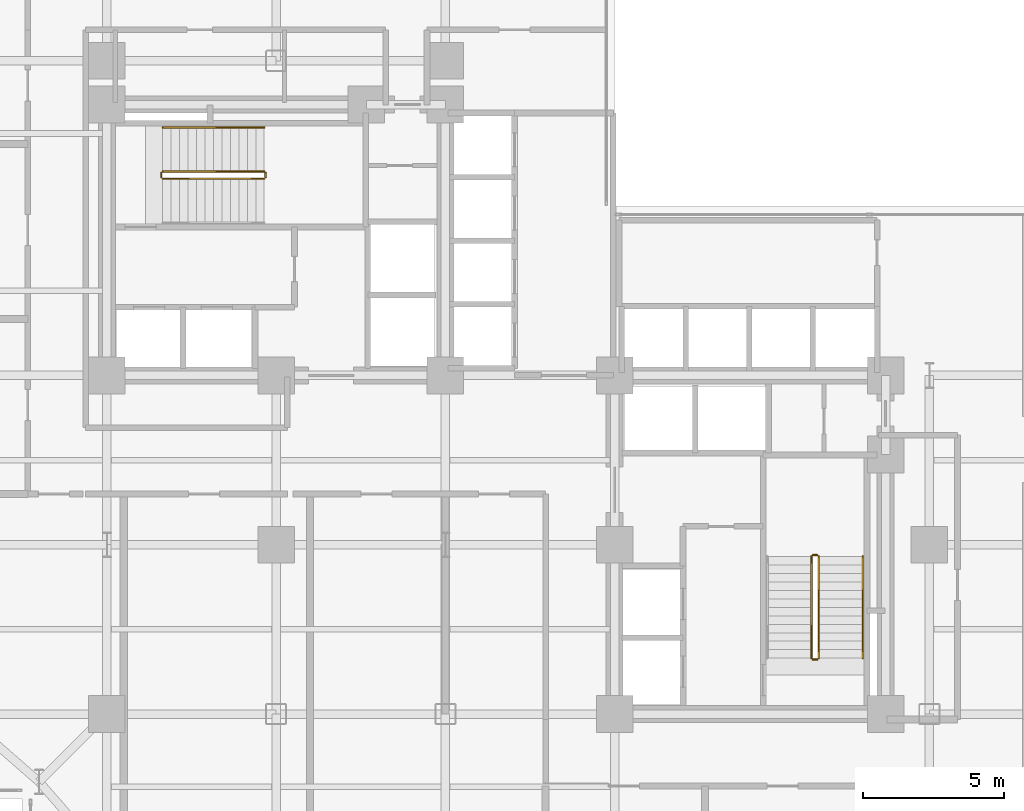
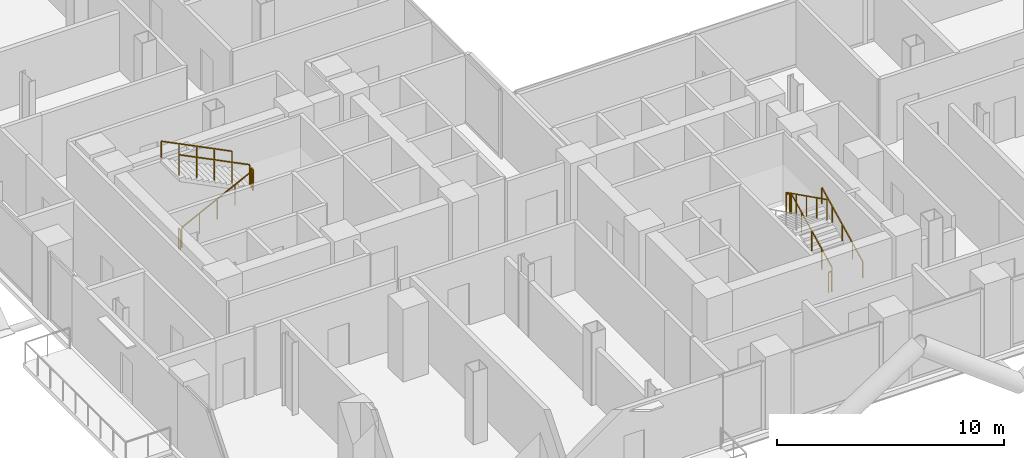
# One storey, part 25 of 25: 10 railings.
"""IFC4 building model written with IfcOpenShell, lengths in metres."""

from ifc_helpers import new_model, si_unit, direction, frame, origin, origin_2d, place, context, subcontext, project, spatial, rectangle, extrude, material, type_object, element, save


model = new_model("IFC4")

# Units and contexts
model_context = context("Model", 3, precision=1e-05, world=origin(), true_north=direction((0.0, 1.0)))
body_context = subcontext(model_context, "Body", "Model", "MODEL_VIEW")
ifc_project = project(units=[si_unit("LENGTHUNIT", "METRE"), si_unit("AREAUNIT", "SQUARE_METRE"), si_unit("VOLUMEUNIT", "CUBIC_METRE"), si_unit("PLANEANGLEUNIT", "RADIAN"), si_unit("MASSUNIT", "GRAM", prefix="KILO"), si_unit("THERMODYNAMICTEMPERATUREUNIT", "KELVIN"), si_unit("POWERUNIT", "WATT")], contexts=[model_context])

# Site, building, storey
site_placement = place(None, origin())
site = spatial("IfcSite", under=ifc_project, at=site_placement, CompositionType="ELEMENT")
building_placement = place(site_placement, origin())
building = spatial("IfcBuilding", under=site, at=building_placement, Name="Svarakhadi Broadcast Tower", CompositionType="ELEMENT")
storey_placement = place(building_placement, frame((0.0, 0.0, 83.10009765625)))
storey = spatial("IfcBuildingStorey", under=building, at=storey_placement, Name="L19", CompositionType="ELEMENT", Elevation=83.10009765625)

# Railings
ifc_material = material(Name="Anodised Bronze Aluminium AA 6063-T6", Category="aluminium")
railing_type_1 = type_object("IfcRailingType", Name="Guard_Stair_GR01", PredefinedType="GUARDRAIL", material=ifc_material)
railing_1_placement = place(storey_placement, frame((7.97998046875, 24.969970703125, 0.14990234375)))
element("IfcRailing", 1, at=railing_1_placement, inside=storey, type_object=railing_type_1, Name="L19 ST-01 stair guard 1", PredefinedType="GUARDRAIL", context=body_context, shape_type="SweptSolid", body=[
    extrude(rectangle(XDim=0.048095703125, YDim=0.048095703125, at=origin_2d()), frame((0.0, 0.0, 1.09619140625), z_axis=(0.894427191, 0.0, 0.4472135955), x_axis=(0.0, 1.0, 0.0)), (0.0, 0.0, 1.0), 4.025146484375),
    extrude(rectangle(XDim=0.0419921875, YDim=0.0419921875, at=origin_2d()), origin(), (0.0, 0.0, 1.0), 1.072021484375),
    extrude(rectangle(XDim=0.0419921875, YDim=0.0419921875, at=origin_2d()), frame((0.89990234375, 0.0, 0.449951171875)), (0.0, 0.0, 1.0), 1.072021484375),
    extrude(rectangle(XDim=0.0419921875, YDim=0.0419921875, at=origin_2d()), frame((1.800048828125, 0.0, 0.89990234375)), (0.0, 0.0, 1.0), 1.072021484375),
    extrude(rectangle(XDim=0.0419921875, YDim=0.0419921875, at=origin_2d()), frame((2.7001953125, 0.0, 1.35009765625)), (0.0, 0.0, 1.0), 1.072021484375),
    extrude(rectangle(XDim=0.0419921875, YDim=0.0419921875, at=origin_2d()), frame((3.60009765625, 0.0, 1.800048828125)), (0.0, 0.0, 1.0), 1.072021484375),
])
railing_2_placement = place(storey_placement, frame((11.6298828125, 25.02001953125, 1.949951171875)))
element("IfcRailing", 2, at=railing_2_placement, inside=storey, type_object=railing_type_1, Name="L19 ST-01 stair guard 2", PredefinedType="GUARDRAIL", context=body_context, shape_type="SweptSolid", body=[
    extrude(rectangle(XDim=0.048095703125, YDim=0.048095703125, at=origin_2d()), frame((0.0, 0.0, 1.09619140625), z_axis=(0.0, 1.0, 0.0), x_axis=(-1.0, 0.0, 0.0)), (0.0, 0.0, 1.0), 0.159912109375),
    extrude(rectangle(XDim=0.0419921875, YDim=0.0419921875, at=origin_2d()), origin(), (0.0, 0.0, 1.0), 1.072021484375),
    extrude(rectangle(XDim=0.0419921875, YDim=0.0419921875, at=origin_2d()), frame((0.0, 0.159912109375, 0.0)), (0.0, 0.0, 1.0), 1.072021484375),
])
railing_3_placement = place(storey_placement, frame((11.580078125, 25.22998046875, 2.099853515625)))
element("IfcRailing", 3, at=railing_3_placement, inside=storey, type_object=railing_type_1, Name="L19 ST-01 stair guard 3", PredefinedType="GUARDRAIL", context=body_context, shape_type="SweptSolid", body=[
    extrude(rectangle(XDim=0.048095703125, YDim=0.048095703125, at=origin_2d()), frame((0.0, 0.0, 1.09619140625), z_axis=(-0.894427191, 0.0, 0.4472135955), x_axis=(0.0, -1.0, 0.0)), (0.0, 0.0, 1.0), 4.025146484375),
    extrude(rectangle(XDim=0.0419921875, YDim=0.0419921875, at=origin_2d()), origin(), (0.0, 0.0, 1.0), 1.072021484375),
    extrude(rectangle(XDim=0.0419921875, YDim=0.0419921875, at=origin_2d()), frame((-0.89990234375, 0.0, 0.449951171875)), (0.0, 0.0, 1.0), 1.072021484375),
    extrude(rectangle(XDim=0.0419921875, YDim=0.0419921875, at=origin_2d()), frame((-1.800048828125, 0.0, 0.89990234375)), (0.0, 0.0, 1.0), 1.072021484375),
    extrude(rectangle(XDim=0.0419921875, YDim=0.0419921875, at=origin_2d()), frame((-2.7001953125, 0.0, 1.35009765625)), (0.0, 0.0, 1.0), 1.072021484375),
    extrude(rectangle(XDim=0.0419921875, YDim=0.0419921875, at=origin_2d()), frame((-3.60009765625, 0.0, 1.800048828125)), (0.0, 0.0, 1.0), 1.072021484375),
])
railing_4_placement = place(storey_placement, frame((7.929931640625, 25.02001953125, 0.0)))
element("IfcRailing", 4, at=railing_4_placement, inside=storey, type_object=railing_type_1, Name="L19 ST-01 stair guard 4", PredefinedType="GUARDRAIL", context=body_context, shape_type="SweptSolid", body=[
    extrude(rectangle(XDim=0.048095703125, YDim=0.048095703125, at=origin_2d()), frame((0.0, 0.0, 1.09619140625), z_axis=(0.0, 1.0, 0.0), x_axis=(-1.0, 0.0, 0.0)), (0.0, 0.0, 1.0), 0.159912109375),
    extrude(rectangle(XDim=0.0419921875, YDim=0.0419921875, at=origin_2d()), origin(), (0.0, 0.0, 1.0), 1.072021484375),
    extrude(rectangle(XDim=0.0419921875, YDim=0.0419921875, at=origin_2d()), frame((0.0, 0.159912109375, 0.0)), (0.0, 0.0, 1.0), 1.072021484375),
])
railing_5_placement = place(storey_placement, frame((31.22998046875, 7.97998046875, 0.14990234375)))
element("IfcRailing", 5, at=railing_5_placement, inside=storey, type_object=railing_type_1, Name="L19 ST-02 stair guard 1", PredefinedType="GUARDRAIL", context=body_context, shape_type="SweptSolid", body=[
    extrude(rectangle(XDim=0.048095703125, YDim=0.048095703125, at=origin_2d()), frame((0.0, 0.0, 1.09619140625), z_axis=(0.0, 0.894427191, 0.4472135955), x_axis=(-1.0, 0.0, 0.0)), (0.0, 0.0, 1.0), 4.025146484375),
    extrude(rectangle(XDim=0.0419921875, YDim=0.0419921875, at=origin_2d()), origin(), (0.0, 0.0, 1.0), 1.072021484375),
    extrude(rectangle(XDim=0.0419921875, YDim=0.0419921875, at=origin_2d()), frame((0.0, 0.89990234375, 0.449951171875)), (0.0, 0.0, 1.0), 1.072021484375),
    extrude(rectangle(XDim=0.0419921875, YDim=0.0419921875, at=origin_2d()), frame((0.0, 1.800048828125, 0.89990234375)), (0.0, 0.0, 1.0), 1.072021484375),
    extrude(rectangle(XDim=0.0419921875, YDim=0.0419921875, at=origin_2d()), frame((0.0, 2.7001953125, 1.35009765625)), (0.0, 0.0, 1.0), 1.072021484375),
    extrude(rectangle(XDim=0.0419921875, YDim=0.0419921875, at=origin_2d()), frame((0.0, 3.60009765625, 1.800048828125)), (0.0, 0.0, 1.0), 1.072021484375),
])
railing_6_placement = place(storey_placement, frame((31.179931640625, 11.6298828125, 1.949951171875)))
element("IfcRailing", 6, at=railing_6_placement, inside=storey, type_object=railing_type_1, Name="L19 ST-02 stair guard 2", PredefinedType="GUARDRAIL", context=body_context, shape_type="SweptSolid", body=[
    extrude(rectangle(XDim=0.048095703125, YDim=0.048095703125, at=origin_2d()), frame((0.0, 0.0, 1.09619140625), z_axis=(-1.0, 0.0, 0.0), x_axis=(0.0, -1.0, 0.0)), (0.0, 0.0, 1.0), 0.159912109375),
    extrude(rectangle(XDim=0.0419921875, YDim=0.0419921875, at=origin_2d()), origin(), (0.0, 0.0, 1.0), 1.072021484375),
    extrude(rectangle(XDim=0.0419921875, YDim=0.0419921875, at=origin_2d()), frame((-0.159912109375, 0.0, 0.0)), (0.0, 0.0, 1.0), 1.072021484375),
])
railing_7_placement = place(storey_placement, frame((30.969970703125, 11.580078125, 2.099853515625)))
element("IfcRailing", 7, at=railing_7_placement, inside=storey, type_object=railing_type_1, Name="L19 ST-02 stair guard 3", PredefinedType="GUARDRAIL", context=body_context, shape_type="SweptSolid", body=[
    extrude(rectangle(XDim=0.048095703125, YDim=0.048095703125, at=origin_2d()), frame((0.0, 0.0, 1.09619140625), z_axis=(0.0, -0.894427191, 0.4472135955), x_axis=(1.0, 0.0, 0.0)), (0.0, 0.0, 1.0), 4.025146484375),
    extrude(rectangle(XDim=0.0419921875, YDim=0.0419921875, at=origin_2d()), origin(), (0.0, 0.0, 1.0), 1.072021484375),
    extrude(rectangle(XDim=0.0419921875, YDim=0.0419921875, at=origin_2d()), frame((0.0, -0.89990234375, 0.449951171875)), (0.0, 0.0, 1.0), 1.072021484375),
    extrude(rectangle(XDim=0.0419921875, YDim=0.0419921875, at=origin_2d()), frame((0.0, -1.800048828125, 0.89990234375)), (0.0, 0.0, 1.0), 1.072021484375),
    extrude(rectangle(XDim=0.0419921875, YDim=0.0419921875, at=origin_2d()), frame((0.0, -2.7001953125, 1.35009765625)), (0.0, 0.0, 1.0), 1.072021484375),
    extrude(rectangle(XDim=0.0419921875, YDim=0.0419921875, at=origin_2d()), frame((0.0, -3.60009765625, 1.800048828125)), (0.0, 0.0, 1.0), 1.072021484375),
])
railing_8_placement = place(storey_placement, frame((31.179931640625, 7.929931640625, 0.0)))
element("IfcRailing", 8, at=railing_8_placement, inside=storey, type_object=railing_type_1, Name="L19 ST-02 stair guard 4", PredefinedType="GUARDRAIL", context=body_context, shape_type="SweptSolid", body=[
    extrude(rectangle(XDim=0.048095703125, YDim=0.048095703125, at=origin_2d()), frame((0.0, 0.0, 1.09619140625), z_axis=(-1.0, 0.0, 0.0), x_axis=(0.0, -1.0, 0.0)), (0.0, 0.0, 1.0), 0.159912109375),
    extrude(rectangle(XDim=0.0419921875, YDim=0.0419921875, at=origin_2d()), origin(), (0.0, 0.0, 1.0), 1.072021484375),
    extrude(rectangle(XDim=0.0419921875, YDim=0.0419921875, at=origin_2d()), frame((-0.159912109375, 0.0, 0.0)), (0.0, 0.0, 1.0), 1.072021484375),
])
railing_type_2 = type_object("IfcRailingType", Name="Handrail_Stair_HR01", PredefinedType="HANDRAIL", material=ifc_material)
railing_9_placement = place(storey_placement, frame((11.580078125, 26.7900390625, 2.099853515625)))
element("IfcRailing", 9, at=railing_9_placement, inside=storey, type_object=railing_type_2, Name="L19 ST-01 stair handrail 2", PredefinedType="HANDRAIL", context=body_context, shape_type="SweptSolid", body=[
    extrude(rectangle(XDim=0.048095703125, YDim=0.048095703125, at=origin_2d()), frame((0.0, 0.0, 0.8759765625), z_axis=(-0.894427191, 0.0, 0.4472135955), x_axis=(0.0, -1.0, 0.0)), (0.0, 0.0, 1.0), 4.025146484375),
    extrude(rectangle(XDim=0.0419921875, YDim=0.0419921875, at=origin_2d()), origin(), (0.0, 0.0, 1.0), 0.851806640625),
    extrude(rectangle(XDim=0.0419921875, YDim=0.0419921875, at=origin_2d()), frame((-0.89990234375, 0.0, 0.449951171875)), (0.0, 0.0, 1.0), 0.851806640625),
    extrude(rectangle(XDim=0.0419921875, YDim=0.0419921875, at=origin_2d()), frame((-1.800048828125, 0.0, 0.89990234375)), (0.0, 0.0, 1.0), 0.851806640625),
    extrude(rectangle(XDim=0.0419921875, YDim=0.0419921875, at=origin_2d()), frame((-2.7001953125, 0.0, 1.35009765625)), (0.0, 0.0, 1.0), 0.851806640625),
    extrude(rectangle(XDim=0.0419921875, YDim=0.0419921875, at=origin_2d()), frame((-3.60009765625, 0.0, 1.800048828125)), (0.0, 0.0, 1.0), 0.851806640625),
])
railing_10_placement = place(storey_placement, frame((32.7900390625, 7.97998046875, 0.14990234375)))
element("IfcRailing", 10, at=railing_10_placement, inside=storey, type_object=railing_type_2, Name="L19 ST-02 stair handrail 1", PredefinedType="HANDRAIL", context=body_context, shape_type="SweptSolid", body=[
    extrude(rectangle(XDim=0.048095703125, YDim=0.048095703125, at=origin_2d()), frame((0.0, 0.0, 0.8759765625), z_axis=(0.0, 0.894427191, 0.4472135955), x_axis=(-1.0, 0.0, 0.0)), (0.0, 0.0, 1.0), 4.025146484375),
    extrude(rectangle(XDim=0.0419921875, YDim=0.0419921875, at=origin_2d()), origin(), (0.0, 0.0, 1.0), 0.851806640625),
    extrude(rectangle(XDim=0.0419921875, YDim=0.0419921875, at=origin_2d()), frame((0.0, 0.89990234375, 0.449951171875)), (0.0, 0.0, 1.0), 0.851806640625),
    extrude(rectangle(XDim=0.0419921875, YDim=0.0419921875, at=origin_2d()), frame((0.0, 1.800048828125, 0.89990234375)), (0.0, 0.0, 1.0), 0.851806640625),
    extrude(rectangle(XDim=0.0419921875, YDim=0.0419921875, at=origin_2d()), frame((0.0, 2.7001953125, 1.35009765625)), (0.0, 0.0, 1.0), 0.851806640625),
    extrude(rectangle(XDim=0.0419921875, YDim=0.0419921875, at=origin_2d()), frame((0.0, 3.60009765625, 1.800048828125)), (0.0, 0.0, 1.0), 0.851806640625),
])

save(model, "model.ifc")
